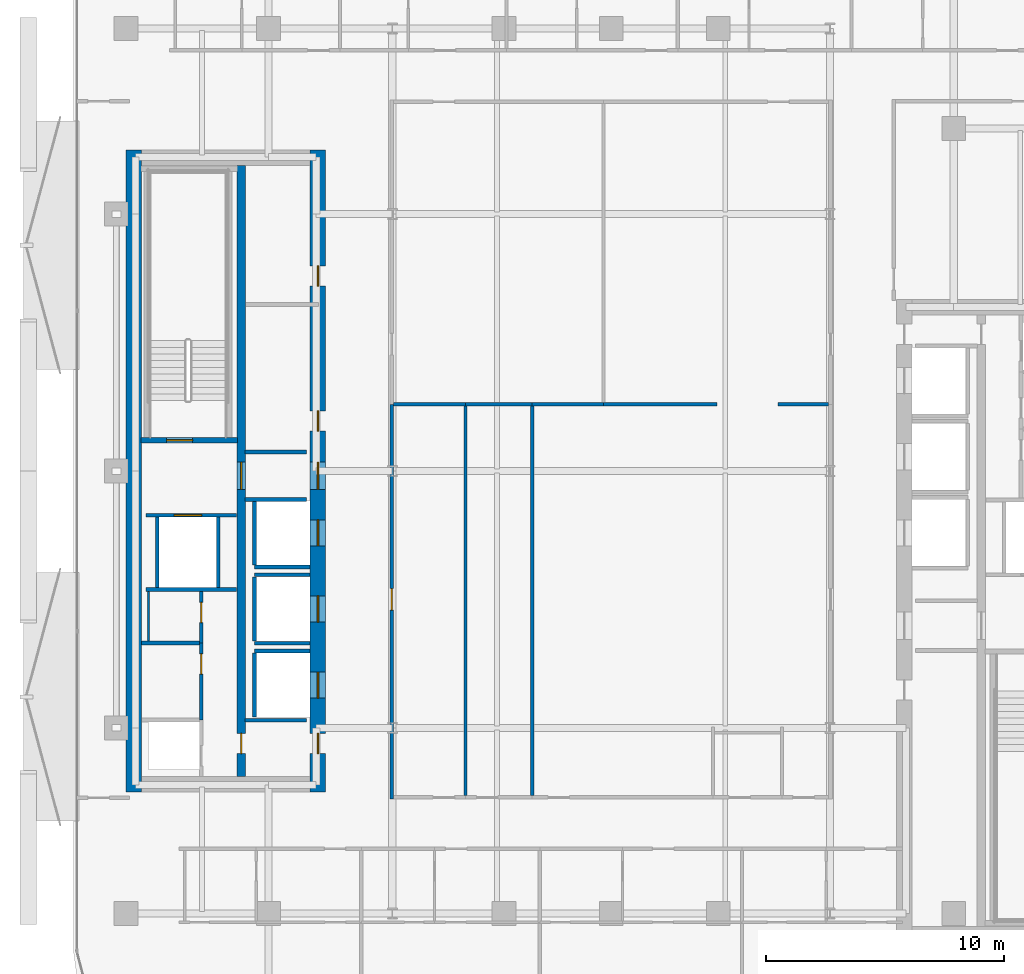
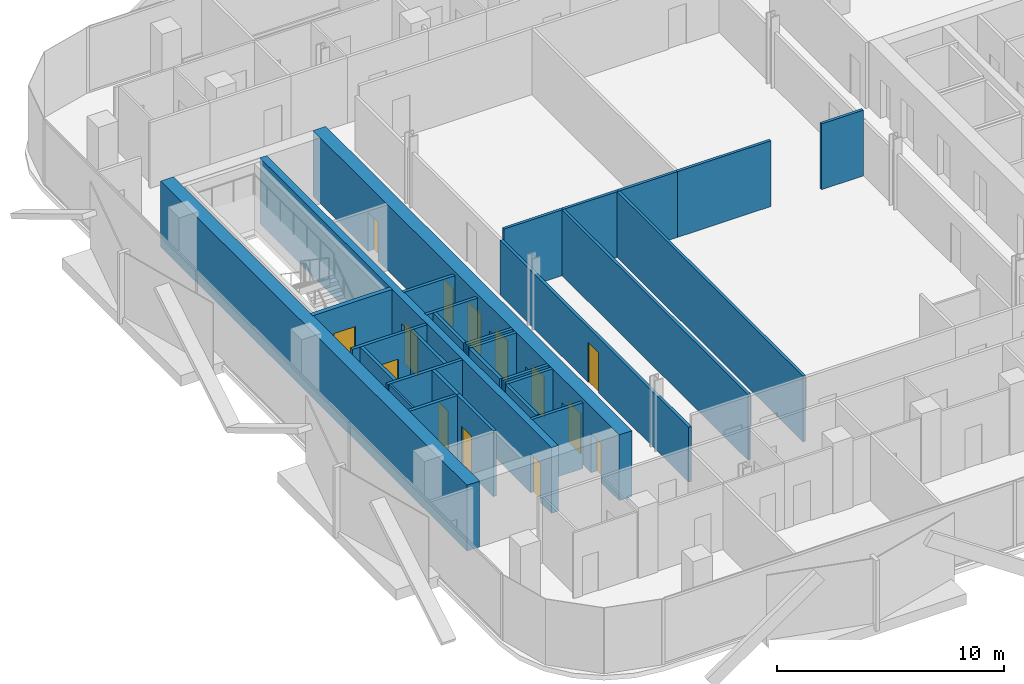
# One storey, part 4 of 17: 30 walls, 14 doors, 14 openings.
"""IFC4 building model written with IfcOpenShell, lengths in metres."""

from ifc_helpers import new_model, si_unit, direction, frame, frame_2d, origin, place, context, subcontext, project, spatial, rectangle, extrude, material, layer, layer_set, type_object, element, fill, save


model = new_model("IFC4")

# Units and contexts
model_context = context("Model", 3, precision=1e-05, world=origin(), true_north=direction((0.0, 1.0)))
body_context = subcontext(model_context, "Body", "Model", "MODEL_VIEW")
ifc_project = project(units=[si_unit("LENGTHUNIT", "METRE"), si_unit("AREAUNIT", "SQUARE_METRE"), si_unit("VOLUMEUNIT", "CUBIC_METRE"), si_unit("PLANEANGLEUNIT", "RADIAN"), si_unit("MASSUNIT", "GRAM", prefix="KILO")], contexts=[model_context])

# Site, building, storey
site_placement = place(None, origin())
site = spatial("IfcSite", under=ifc_project, at=site_placement, CompositionType="ELEMENT")
building_placement = place(site_placement, origin())
building = spatial("IfcBuilding", under=site, at=building_placement, Name="Khairoan Windgate Tower", CompositionType="ELEMENT")
storey_placement = place(building_placement, frame((0.0, 0.0, 195.39990234375)))
storey = spatial("IfcBuildingStorey", under=building, at=storey_placement, Name="L45", CompositionType="ELEMENT", Elevation=195.39990234375)

# Walls
ifc_material_1 = material(Name="Moisture-Resistant Gypsum Partition", Category="gypsum")
ifc_layer_1 = layer(ifc_material_1, 0.10009765625, Name="Moisture-Resistant Gypsum Partition")
ifc_layer_set_1 = layer_set([ifc_layer_1], Name="Moisture-Resistant Gypsum Partition")
wall_type_1 = type_object("IfcWallType", Name="Bathroom Wet-Area Partition Wall", PredefinedType="PARTITIONING", material=ifc_layer_set_1)
wall_1_placement = place(storey_placement, frame((-19.449951171875, -7.14990234375, 0.0), z_axis=(0.0, 0.0, 1.0), x_axis=(0.0, 1.0, 0.0)))
element("IfcWall", 1, at=wall_1_placement, inside=storey, type_object=wall_type_1, Name="L45 Wet Room Side Wall 097", PredefinedType="PARTITIONING", context=body_context, shape_type="SweptSolid", body=[
    extrude(rectangle(XDim=2.08984375, YDim=0.10009765625, at=frame_2d((1.044921875, 0.0))), origin(), (0.0, 0.0, 1.0), 3.5400390625),
])
ifc_material_2 = material(Name="Concrete C40/50", Category="concrete")
ifc_layer_2 = layer(ifc_material_2, 0.159912109375, Name="Concrete C40/50")
ifc_layer_set_2 = layer_set([ifc_layer_2], Name="Concrete C40/50")
wall_type_2 = type_object("IfcWallType", Name="Core and Hoistway Enclosure Wall", PredefinedType="STANDARD", material=ifc_layer_set_2)
wall_2_placement = place(storey_placement, frame((-14.989990234375, -4.0400390625, 0.0), z_axis=(0.0, 0.0, 1.0), x_axis=(1.0, 0.0, 0.0)))
element("IfcWall", 2, at=wall_2_placement, inside=storey, type_object=wall_type_2, Name="L45 Lift PL4 Hoistway Divider S", PredefinedType="STANDARD", context=body_context, shape_type="SweptSolid", body=[
    extrude(rectangle(XDim=2.340087890625, YDim=0.159912109375, at=frame_2d((1.169921875, 0.0))), origin(), (0.0, 0.0, 1.0), 3.5400390625),
])
wall_3_placement = place(storey_placement, frame((-14.989990234375, -3.949951171875, 0.0), z_axis=(0.0, 0.0, 1.0), x_axis=(0.0, 1.0, 0.0)))
element("IfcWall", 3, at=wall_3_placement, inside=storey, type_object=wall_type_2, Name="L45 Lift PL4 Hoistway Back Wall", PredefinedType="STANDARD", context=body_context, shape_type="SweptSolid", body=[
    extrude(rectangle(XDim=2.699951171875, YDim=0.159912109375, at=frame_2d((1.35009765625, 0.0))), origin(), (0.0, 0.0, 1.0), 3.5400390625),
])
for number, where, z_axis, x_axis, name in (
    (4, (-14.989990234375, -7.239990234375, 0.0), (0.0, 0.0, 1.0), (1.0, 0.0, 0.0), "L45 Lift PL5 Hoistway Divider S"),
    (5, (-14.989990234375, -4.360107421875, 0.0), (0.0, 0.0, 1.0), (1.0, 0.0, 0.0), "L45 Lift PL5 Hoistway Divider N"),
):
    element("IfcWall", number, at=place(storey_placement, frame(where, z_axis=z_axis, x_axis=x_axis)), inside=storey, type_object=wall_type_2, Name=name, PredefinedType="STANDARD", context=body_context, shape_type="SweptSolid", body=[
        extrude(rectangle(XDim=2.340087890625, YDim=0.159912109375, at=frame_2d((1.169921875, 0.0))), origin(), (0.0, 0.0, 1.0), 3.5400390625),
    ])
wall_4_placement = place(storey_placement, frame((-14.989990234375, -7.14990234375, 0.0), z_axis=(0.0, 0.0, 1.0), x_axis=(0.0, 1.0, 0.0)))
element("IfcWall", 6, at=wall_4_placement, inside=storey, type_object=wall_type_2, Name="L45 Lift PL5 Hoistway Back Wall", PredefinedType="STANDARD", context=body_context, shape_type="SweptSolid", body=[
    extrude(rectangle(XDim=2.699951171875, YDim=0.159912109375, at=frame_2d((1.35009765625, 0.0))), origin(), (0.0, 0.0, 1.0), 3.5400390625),
])
wall_5_placement = place(storey_placement, frame((-14.989990234375, -7.56005859375, 0.0), z_axis=(0.0, 0.0, 1.0), x_axis=(1.0, 0.0, 0.0)))
element("IfcWall", 7, at=wall_5_placement, inside=storey, type_object=wall_type_2, Name="L45 Lift PL6 Hoistway Divider N", PredefinedType="STANDARD", context=body_context, shape_type="SweptSolid", body=[
    extrude(rectangle(XDim=2.340087890625, YDim=0.159912109375, at=frame_2d((1.169921875, 0.0))), origin(), (0.0, 0.0, 1.0), 3.5400390625),
])
wall_6_placement = place(storey_placement, frame((-14.989990234375, -10.35009765625, 0.0), z_axis=(0.0, 0.0, 1.0), x_axis=(0.0, 1.0, 0.0)))
element("IfcWall", 8, at=wall_6_placement, inside=storey, type_object=wall_type_2, Name="L45 Lift PL6 Hoistway Back Wall", PredefinedType="STANDARD", context=body_context, shape_type="SweptSolid", body=[
    extrude(rectangle(XDim=2.7001953125, YDim=0.159912109375, at=frame_2d((1.35009765625, 0.0))), origin(), (0.0, 0.0, 1.0), 3.5400390625),
])

# Wall, opening, door
wall_7_placement = place(storey_placement, frame((-19.550048828125, -1.860107421875, 0.0), z_axis=(0.0, 0.0, 1.0), x_axis=(1.0, 0.0, 0.0)))
wall_7 = element("IfcWall", 9, at=wall_7_placement, inside=storey, type_object=wall_type_2, Name="L45 Core Shaft Wall SW-FL2-L45", PredefinedType="STANDARD", context=body_context, shape_type="SweptSolid", body=[
    extrude(rectangle(XDim=3.800048828125, YDim=0.159912109375, at=frame_2d((1.89990234375, 0.0))), origin(), (0.0, 0.0, 1.0), 3.5400390625),
])
opening_1_placement = place(wall_7_placement, frame((1.179931640625, 0.0, 0.0)))
opening_1 = element("IfcOpeningElement", 10, at=opening_1_placement, cuts=wall_7, Name="Opening LD-FL", PredefinedType="OPENING", context=body_context, shape_type="SweptSolid", body=[
    extrude(rectangle(XDim=1.14990234375, YDim=2.199951171875, at=frame_2d((0.574951171875, 1.10009765625))), frame((0.0, 0.08984375, 0.0), z_axis=(0.0, -1.0, 0.0), x_axis=(1.0, 0.0, 0.0)), (0.0, 0.0, 1.0), 0.179931640625),
])
ifc_material_3 = material(Name="Steel S355", Category="steel")
door_type_1 = type_object("IfcDoorType", Name="Firefighting Lift Sliding Landing Door LD-FL 1150x2200", OperationType="DOUBLE_DOOR_SLIDING", PredefinedType="DOOR", material=ifc_material_3)
door_1_placement = place(opening_1_placement, origin())
door_1 = element("IfcDoor", 11, at=door_1_placement, inside=storey, type_object=door_type_1, Name="L45 Firefighting Lift FL2 Landing Door", OperationType="DOUBLE_DOOR_SLIDING", OverallHeight=2.199951171875, OverallWidth=1.14990234375, PredefinedType="DOOR", context=body_context, shape_type="SweptSolid", body=[
    extrude(rectangle(XDim=1.14990234375, YDim=2.199951171875, at=frame_2d((0.574951171875, 1.10009765625))), frame((0.0, 0.02490234375, 0.0), z_axis=(0.0, -1.0, 0.0), x_axis=(1.0, 0.0, 0.0)), (0.0, 0.0, 1.0), 0.050048828125),
])
fill(opening_1, door_1)

# Walls
wall_8_placement = place(storey_placement, frame((-19.550048828125, -4.97998046875, 0.0), z_axis=(0.0, 0.0, 1.0), x_axis=(1.0, 0.0, 0.0)))
element("IfcWall", 12, at=wall_8_placement, inside=storey, type_object=wall_type_2, Name="L45 Core Shaft Wall SW-FL2B-L45", PredefinedType="STANDARD", context=body_context, shape_type="SweptSolid", body=[
    extrude(rectangle(XDim=3.800048828125, YDim=0.159912109375, at=frame_2d((1.89990234375, 0.0))), origin(), (0.0, 0.0, 1.0), 3.5400390625),
])
for number, where, z_axis, x_axis, name in (
    (13, (-19.080078125, -4.89990234375, 0.0), (0.0, 0.0, 1.0), (0.0, 1.0, 0.0), "L45 Core Shaft Wall SW-FL2W-L45"),
    (14, (-16.52001953125, -4.89990234375, 0.0), (0.0, 0.0, 1.0), (0.0, 1.0, 0.0), "L45 Core Shaft Wall SW-FL2E-L45"),
):
    element("IfcWall", number, at=place(storey_placement, frame(where, z_axis=z_axis, x_axis=x_axis)), inside=storey, type_object=wall_type_2, Name=name, PredefinedType="STANDARD", context=body_context, shape_type="SweptSolid", body=[
        extrude(rectangle(XDim=2.9599609375, YDim=0.159912109375, at=frame_2d((1.47998046875, 0.0))), origin(), (0.0, 0.0, 1.0), 3.5400390625),
    ])
for number, where, z_axis, x_axis, name in (
    (15, (-15.39990234375, 0.800048828125, 0.0), (0.0, 0.0, 1.0), (1.0, 0.0, 0.0), "L45 Core Shaft Wall SW-WV1-L45"),
    (16, (-15.39990234375, -1.199951171875, 0.0), (0.0, 0.0, 1.0), (1.0, 0.0, 0.0), "L45 Core Shaft Wall SW-WV2-L45"),
    (17, (-15.39990234375, -10.47998046875, 0.0), (0.0, 0.0, 1.0), (1.0, 0.0, 0.0), "L45 Core Shaft Wall SW-WSV-L45"),
):
    element("IfcWall", number, at=place(storey_placement, frame(where, z_axis=z_axis, x_axis=x_axis)), inside=storey, type_object=wall_type_2, Name=name, PredefinedType="STANDARD", context=body_context, shape_type="SweptSolid", body=[
        extrude(rectangle(XDim=2.599853515625, YDim=0.159912109375, at=frame_2d((1.2998046875, 0.0))), origin(), (0.0, 0.0, 1.0), 3.5400390625),
    ])
ifc_material_4 = material(Name="Acoustic Fire-Rated Gypsum Partition", Category="gypsum")
ifc_layer_3 = layer(ifc_material_4, 0.139892578125, Name="Acoustic Fire-Rated Gypsum Partition")
ifc_layer_set_3 = layer_set([ifc_layer_3], Name="Acoustic Fire-Rated Gypsum Partition")
wall_type_3 = type_object("IfcWallType", Name="Inter-Tenancy Compartment Wall", PredefinedType="PARTITIONING", material=ifc_layer_set_3)
wall_9_placement = place(storey_placement, frame((-6.1201171875, -13.64501953125, 0.0), z_axis=(0.0, 0.0, 1.0), x_axis=(0.0, 1.0, 0.0)))
element("IfcWall", 18, at=wall_9_placement, inside=storey, type_object=wall_type_3, Name="L45 Interior Partition 045", PredefinedType="PARTITIONING", context=body_context, shape_type="SweptSolid", body=[
    extrude(rectangle(XDim=16.375, YDim=0.139892578125, at=frame_2d((8.1875, 0.0))), origin(), (0.0, 0.0, 1.0), 3.5400390625),
])
wall_10_placement = place(storey_placement, frame((-9.14501953125, 2.800048828125, 0.0), z_axis=(0.0, 0.0, 1.0), x_axis=(1.0, 0.0, 0.0)))
element("IfcWall", 19, at=wall_10_placement, inside=storey, type_object=wall_type_3, Name="L45 Interior Partition 046", PredefinedType="PARTITIONING", context=body_context, shape_type="SweptSolid", body=[
    extrude(rectangle(XDim=3.02490234375, YDim=0.139892578125, at=frame_2d((1.512451171875, 0.0))), origin(), (0.0, 0.0, 1.0), 3.5400390625),
])
wall_11_placement = place(storey_placement, frame((-3.320068359375, -13.64501953125, 0.0), z_axis=(0.0, 0.0, 1.0), x_axis=(0.0, 1.0, 0.0)))
element("IfcWall", 20, at=wall_11_placement, inside=storey, type_object=wall_type_3, Name="L45 Interior Partition 047", PredefinedType="PARTITIONING", context=body_context, shape_type="SweptSolid", body=[
    extrude(rectangle(XDim=16.375, YDim=0.139892578125, at=frame_2d((8.1875, 0.0))), origin(), (0.0, 0.0, 1.0), 3.5400390625),
])
wall_12_placement = place(storey_placement, frame((-6.1201171875, 2.800048828125, 0.0), z_axis=(0.0, 0.0, 1.0), x_axis=(1.0, 0.0, 0.0)))
element("IfcWall", 21, at=wall_12_placement, inside=storey, type_object=wall_type_3, Name="L45 Interior Partition 048", PredefinedType="PARTITIONING", context=body_context, shape_type="SweptSolid", body=[
    extrude(rectangle(XDim=2.800048828125, YDim=0.139892578125, at=frame_2d((1.39990234375, 0.0))), origin(), (0.0, 0.0, 1.0), 3.5400390625),
])
wall_13_placement = place(storey_placement, frame((-3.320068359375, 2.800048828125, 0.0), z_axis=(0.0, 0.0, 1.0), x_axis=(1.0, 0.0, 0.0)))
element("IfcWall", 22, at=wall_13_placement, inside=storey, type_object=wall_type_3, Name="L45 Interior Partition 050", PredefinedType="PARTITIONING", context=body_context, shape_type="SweptSolid", body=[
    extrude(rectangle(XDim=3.0, YDim=0.139892578125, at=frame_2d((1.5, 0.0))), origin(), (0.0, 0.0, 1.0), 3.5400390625),
])
wall_14_placement = place(storey_placement, frame((-0.320068359375, 2.800048828125, 0.0), z_axis=(0.0, 0.0, 1.0), x_axis=(1.0, 0.0, 0.0)))
element("IfcWall", 23, at=wall_14_placement, inside=storey, type_object=wall_type_3, Name="L45 Interior Partition 051", PredefinedType="PARTITIONING", context=body_context, shape_type="SweptSolid", body=[
    extrude(rectangle(XDim=4.760009765625, YDim=0.139892578125, at=frame_2d((2.3798828125, 0.0))), origin(), (0.0, 0.0, 1.0), 3.5400390625),
])
wall_15_placement = place(storey_placement, frame((7.02001953125, 2.800048828125, 0.0), z_axis=(0.0, 0.0, 1.0), x_axis=(1.0, 0.0, 0.0)))
element("IfcWall", 24, at=wall_15_placement, inside=storey, type_object=wall_type_3, Name="L45 Interior Partition 053", PredefinedType="PARTITIONING", context=body_context, shape_type="SweptSolid", body=[
    extrude(rectangle(XDim=2.125, YDim=0.139892578125, at=frame_2d((1.0625, 0.0))), origin(), (0.0, 0.0, 1.0), 3.5400390625),
])

# Wall, opening, door
ifc_material_5 = material(Name="Concrete C40/50", Category="concrete")
ifc_layer_4 = layer(ifc_material_5, 0.159912109375, Name="Concrete C40/50")
ifc_layer_set_4 = layer_set([ifc_layer_4], Name="Concrete C40/50")
wall_type_4 = type_object("IfcWallType", Name="Plant and Refuge Compartment Wall", PredefinedType="PARTITIONING", material=ifc_layer_set_4)
wall_16_placement = place(storey_placement, frame((-17.22998046875, -7.22998046875, 0.0), z_axis=(0.0, 0.0, 1.0), x_axis=(0.0, 1.0, 0.0)))
wall_16 = element("IfcWall", 25, at=wall_16_placement, inside=storey, type_object=wall_type_4, Name="L45 Interior Partition 002", PredefinedType="PARTITIONING", context=body_context, shape_type="SweptSolid", body=[
    extrude(rectangle(XDim=2.169921875, YDim=0.159912109375, at=frame_2d((1.0849609375, 0.0))), origin(), (0.0, 0.0, 1.0), 3.5400390625),
])
opening_2_placement = place(wall_16_placement, frame((0.860107421875, 0.0, 0.0)))
opening_2 = element("IfcOpeningElement", 26, at=opening_2_placement, cuts=wall_16, Name="Opening FD-SRV", PredefinedType="OPENING", context=body_context, shape_type="SweptSolid", body=[
    extrude(rectangle(XDim=0.85009765625, YDim=2.10009765625, at=frame_2d((0.425048828125, 1.050048828125))), frame((0.0, 0.08984375, 0.0), z_axis=(0.0, -1.0, 0.0), x_axis=(1.0, 0.0, 0.0)), (0.0, 0.0, 1.0), 0.179931640625),
])
ifc_material_6 = material(Name="Steel S355", Category="steel")
door_type_2 = type_object("IfcDoorType", Name="Core Service and Riser Fire Door FD-SRV 850x2100", OperationType="NOTDEFINED", PredefinedType="DOOR", material=ifc_material_6)
door_2_placement = place(opening_2_placement, origin())
door_2 = element("IfcDoor", 27, at=door_2_placement, inside=storey, type_object=door_type_2, Name="L45 L45-04-L45-06 Door", OperationType="SINGLE_SWING_RIGHT", OverallHeight=2.10009765625, OverallWidth=0.85009765625, PredefinedType="DOOR", context=body_context, shape_type="SweptSolid", body=[
    extrude(rectangle(XDim=0.85009765625, YDim=2.10009765625, at=frame_2d((0.425048828125, 1.050048828125))), frame((0.0, 0.02490234375, 0.0), z_axis=(0.0, -1.0, 0.0), x_axis=(1.0, 0.0, 0.0)), (0.0, 0.0, 1.0), 0.050048828125),
])
fill(opening_2, door_2)

wall_17_placement = place(storey_placement, frame((-17.22998046875, -10.469970703125, 0.0), z_axis=(0.0, 0.0, 1.0), x_axis=(0.0, 1.0, 0.0)))
wall_17 = element("IfcWall", 28, at=wall_17_placement, inside=storey, type_object=wall_type_4, Name="L45 Interior Partition 003", PredefinedType="PARTITIONING", context=body_context, shape_type="SweptSolid", body=[
    extrude(rectangle(XDim=3.239990234375, YDim=0.159912109375, at=frame_2d((1.6201171875, 0.0))), origin(), (0.0, 0.0, 1.0), 3.5400390625),
])
opening_3_placement = place(wall_17_placement, frame((1.929931640625, 0.0, 0.0)))
opening_3 = element("IfcOpeningElement", 29, at=opening_3_placement, cuts=wall_17, Name="Opening FD-SRV", PredefinedType="OPENING", context=body_context, shape_type="SweptSolid", body=[
    extrude(rectangle(XDim=0.85009765625, YDim=2.10009765625, at=frame_2d((0.425048828125, 1.050048828125))), frame((0.0, 0.08984375, 0.0), z_axis=(0.0, -1.0, 0.0), x_axis=(1.0, 0.0, 0.0)), (0.0, 0.0, 1.0), 0.179931640625),
])
door_3_placement = place(opening_3_placement, origin())
door_3 = element("IfcDoor", 30, at=door_3_placement, inside=storey, type_object=door_type_2, Name="L45 L45-04-L45-07 Door", OperationType="SINGLE_SWING_LEFT", OverallHeight=2.10009765625, OverallWidth=0.85009765625, PredefinedType="DOOR", context=body_context, shape_type="SweptSolid", body=[
    extrude(rectangle(XDim=0.85009765625, YDim=2.10009765625, at=frame_2d((0.425048828125, 1.050048828125))), frame((0.0, 0.02490234375, 0.0), z_axis=(0.0, -1.0, 0.0), x_axis=(1.0, 0.0, 0.0)), (0.0, 0.0, 1.0), 0.050048828125),
])
fill(opening_3, door_3)

# Wall
wall_18_placement = place(storey_placement, frame((-19.75, -7.22998046875, 0.0), z_axis=(0.0, 0.0, 1.0), x_axis=(1.0, 0.0, 0.0)))
element("IfcWall", 31, at=wall_18_placement, inside=storey, type_object=wall_type_4, Name="L45 Interior Partition 005", PredefinedType="PARTITIONING", context=body_context, shape_type="SweptSolid", body=[
    extrude(rectangle(XDim=2.43994140625, YDim=0.159912109375, at=frame_2d((1.219970703125, 0.0))), origin(), (0.0, 0.0, 1.0), 3.5400390625),
])

# Wall, opening, door
ifc_material_7 = material(Name="Acoustic Fire-Rated Gypsum Partition", Category="gypsum")
ifc_layer_5 = layer(ifc_material_7, 0.14990234375, Name="Acoustic Fire-Rated Gypsum Partition")
ifc_layer_set_5 = layer_set([ifc_layer_5], Name="Acoustic Fire-Rated Gypsum Partition")
wall_type_5 = type_object("IfcWallType", Name="Rated Corridor Partition Wall", PredefinedType="PARTITIONING", material=ifc_layer_set_5)
wall_19_placement = place(storey_placement, frame((-9.219970703125, -13.794921875, 0.0), z_axis=(0.0, 0.0, 1.0), x_axis=(0.0, 1.0, 0.0)))
wall_19 = element("IfcWall", 32, at=wall_19_placement, inside=storey, type_object=wall_type_5, Name="L45 Interior Partition 012", PredefinedType="PARTITIONING", context=body_context, shape_type="SweptSolid", body=[
    extrude(rectangle(XDim=16.594970703125, YDim=0.14990234375, at=frame_2d((8.29736328125, 0.0))), origin(), (0.0, 0.0, 1.0), 2.9521484375),
])
opening_4_placement = place(wall_19_placement, frame((7.94873046875, 0.0, 0.0)))
opening_4 = element("IfcOpeningElement", 33, at=opening_4_placement, cuts=wall_19, Name="Opening FD-ENT", PredefinedType="OPENING", context=body_context, shape_type="SweptSolid", body=[
    extrude(rectangle(XDim=0.89990234375, YDim=2.14990234375, at=frame_2d((0.449951171875, 1.074951171875))), frame((0.0, 0.0849609375, 0.0), z_axis=(0.0, -1.0, 0.0), x_axis=(1.0, 0.0, 0.0)), (0.0, 0.0, 1.0), 0.169921875),
])
ifc_material_8 = material(Name="Timber Fire-Rated Core", Category="wood")
door_type_3 = type_object("IfcDoorType", Name="Unit and Office Fire Entrance Door FD-ENT 900x2150", OperationType="NOTDEFINED", PredefinedType="DOOR", material=ifc_material_8)
door_4_placement = place(opening_4_placement, origin())
door_4 = element("IfcDoor", 34, at=door_4_placement, inside=storey, type_object=door_type_3, Name="L45 L45-28-L45-32 Door", OperationType="SINGLE_SWING_LEFT", OverallHeight=2.14990234375, OverallWidth=0.89990234375, PredefinedType="DOOR", context=body_context, shape_type="SweptSolid", body=[
    extrude(rectangle(XDim=0.89990234375, YDim=2.14990234375, at=frame_2d((0.449951171875, 1.074951171875))), frame((0.0, 0.02490234375, 0.0), z_axis=(0.0, -1.0, 0.0), x_axis=(1.0, 0.0, 0.0)), (0.0, 0.0, 1.0), 0.050048828125),
])
fill(opening_4, door_4)

# Wall
ifc_material_9 = material(Name="Concrete C60/75", Category="concrete")
ifc_layer_6 = layer(ifc_material_9, 0.64990234375, Name="Concrete C60/75")
ifc_layer_set_6 = layer_set([ifc_layer_6], Name="Concrete C60/75")
wall_type_6 = type_object("IfcWallType", Name="Shear Wall CW-W2 650mm", PredefinedType="SHEAR", material=ifc_layer_set_6)
wall_20_placement = place(storey_placement, frame((-20.074951171875, -13.5, 0.0), z_axis=(0.0, 0.0, 1.0), x_axis=(0.0, 1.0, 0.0)))
element("IfcWall", 35, at=wall_20_placement, inside=storey, type_object=wall_type_6, Name="W Core West Shear Wall L45", PredefinedType="SHEAR", context=body_context, shape_type="SweptSolid", body=[
    extrude(rectangle(XDim=27.0, YDim=0.64990234375, at=frame_2d((13.5, 0.0))), origin(), (0.0, 0.0, 1.0), 3.5400390625),
])

# Wall, openings, doors
wall_21_placement = place(storey_placement, frame((-12.324951171875, -13.5, 0.0), z_axis=(0.0, 0.0, 1.0), x_axis=(0.0, 1.0, 0.0)))
wall_21 = element("IfcWall", 36, at=wall_21_placement, inside=storey, type_object=wall_type_6, Name="W Core East Shear Wall L45", PredefinedType="SHEAR", context=body_context, shape_type="SweptSolid", body=[
    extrude(rectangle(XDim=27.0, YDim=0.64990234375, at=frame_2d((13.5, 0.0))), origin(), (0.0, 0.0, 1.0), 3.5400390625),
])
opening_5_placement = place(wall_21_placement, frame((10.35009765625, 0.0, 0.0)))
opening_5 = element("IfcOpeningElement", 37, at=opening_5_placement, cuts=wall_21, Name="Opening LD-PL", PredefinedType="OPENING", context=body_context, shape_type="SweptSolid", body=[
    extrude(rectangle(XDim=1.10009765625, YDim=2.199951171875, at=frame_2d((0.550048828125, 1.10009765625))), frame((0.0, 0.3349609375, 0.0), z_axis=(0.0, -1.0, 0.0), x_axis=(1.0, 0.0, 0.0)), (0.0, 0.0, 1.0), 0.669921875),
])
opening_6_placement = place(wall_21_placement, frame((7.14990234375, 0.0, 0.0)))
opening_6 = element("IfcOpeningElement", 38, at=opening_6_placement, cuts=wall_21, Name="Opening LD-PL", PredefinedType="OPENING", context=body_context, shape_type="SweptSolid", body=[
    extrude(rectangle(XDim=1.10009765625, YDim=2.199951171875, at=frame_2d((0.550048828125, 1.10009765625))), frame((0.0, 0.3349609375, 0.0), z_axis=(0.0, -1.0, 0.0), x_axis=(1.0, 0.0, 0.0)), (0.0, 0.0, 1.0), 0.669921875),
])
opening_7_placement = place(wall_21_placement, frame((3.949951171875, 0.0, 0.0)))
opening_7 = element("IfcOpeningElement", 39, at=opening_7_placement, cuts=wall_21, Name="Opening LD-PL", PredefinedType="OPENING", context=body_context, shape_type="SweptSolid", body=[
    extrude(rectangle(XDim=1.10009765625, YDim=2.199951171875, at=frame_2d((0.550048828125, 1.10009765625))), frame((0.0, 0.3349609375, 0.0), z_axis=(0.0, -1.0, 0.0), x_axis=(1.0, 0.0, 0.0)), (0.0, 0.0, 1.0), 0.669921875),
])
opening_8_placement = place(wall_21_placement, frame((15.175048828125, 0.0, 0.0)))
opening_8 = element("IfcOpeningElement", 40, at=opening_8_placement, cuts=wall_21, Name="Opening FD-SRV", PredefinedType="OPENING", context=body_context, shape_type="SweptSolid", body=[
    extrude(rectangle(XDim=0.85009765625, YDim=2.10009765625, at=frame_2d((0.425048828125, 1.050048828125))), frame((0.0, 0.3349609375, 0.0), z_axis=(0.0, -1.0, 0.0), x_axis=(1.0, 0.0, 0.0)), (0.0, 0.0, 1.0), 0.669921875),
])
opening_9_placement = place(wall_21_placement, frame((21.27490234375, 0.0, 0.0)))
opening_9 = element("IfcOpeningElement", 41, at=opening_9_placement, cuts=wall_21, Name="Opening FD-SRV", PredefinedType="OPENING", context=body_context, shape_type="SweptSolid", body=[
    extrude(rectangle(XDim=0.85009765625, YDim=2.10009765625, at=frame_2d((0.425048828125, 1.050048828125))), frame((0.0, 0.3349609375, 0.0), z_axis=(0.0, -1.0, 0.0), x_axis=(1.0, 0.0, 0.0)), (0.0, 0.0, 1.0), 0.669921875),
])
opening_10_placement = place(wall_21_placement, frame((12.72509765625, 0.0, 0.0)))
opening_10 = element("IfcOpeningElement", 42, at=opening_10_placement, cuts=wall_21, Name="Opening FD-FFL", PredefinedType="OPENING", context=body_context, shape_type="SweptSolid", body=[
    extrude(rectangle(XDim=1.14990234375, YDim=2.199951171875, at=frame_2d((0.574951171875, 1.10009765625))), frame((0.0, 0.3349609375, 0.0), z_axis=(0.0, -1.0, 0.0), x_axis=(1.0, 0.0, 0.0)), (0.0, 0.0, 1.0), 0.669921875),
])
opening_11_placement = place(wall_21_placement, frame((1.625, 0.0, 0.0)))
opening_11 = element("IfcOpeningElement", 43, at=opening_11_placement, cuts=wall_21, Name="Opening FD-SRV", PredefinedType="OPENING", context=body_context, shape_type="SweptSolid", body=[
    extrude(rectangle(XDim=0.85009765625, YDim=2.10009765625, at=frame_2d((0.425048828125, 1.050048828125))), frame((0.0, 0.3349609375, 0.0), z_axis=(0.0, -1.0, 0.0), x_axis=(1.0, 0.0, 0.0)), (0.0, 0.0, 1.0), 0.669921875),
])
door_5_placement = place(opening_8_placement, origin())
door_5 = element("IfcDoor", 44, at=door_5_placement, inside=storey, type_object=door_type_2, Name="L45 Upper Core Room Door B1-1", OperationType="SINGLE_SWING_RIGHT", OverallHeight=2.10009765625, OverallWidth=0.85009765625, PredefinedType="DOOR", context=body_context, shape_type="SweptSolid", body=[
    extrude(rectangle(XDim=0.85009765625, YDim=2.10009765625, at=frame_2d((0.425048828125, 1.050048828125))), frame((0.0, 0.02490234375, 0.0), z_axis=(0.0, -1.0, 0.0), x_axis=(1.0, 0.0, 0.0)), (0.0, 0.0, 1.0), 0.050048828125),
])
fill(opening_8, door_5)
door_6_placement = place(opening_9_placement, origin())
door_6 = element("IfcDoor", 45, at=door_6_placement, inside=storey, type_object=door_type_2, Name="L45 Upper Core Room Door B1-2", OperationType="SINGLE_SWING_LEFT", OverallHeight=2.10009765625, OverallWidth=0.85009765625, PredefinedType="DOOR", context=body_context, shape_type="SweptSolid", body=[
    extrude(rectangle(XDim=0.85009765625, YDim=2.10009765625, at=frame_2d((0.425048828125, 1.050048828125))), frame((0.0, 0.02490234375, 0.0), z_axis=(0.0, -1.0, 0.0), x_axis=(1.0, 0.0, 0.0)), (0.0, 0.0, 1.0), 0.050048828125),
])
fill(opening_9, door_6)
door_7_placement = place(opening_11_placement, origin())
door_7 = element("IfcDoor", 46, at=door_7_placement, inside=storey, type_object=door_type_2, Name="L45 West Core Service Vestibule Outer Door", OperationType="SINGLE_SWING_LEFT", OverallHeight=2.10009765625, OverallWidth=0.85009765625, PredefinedType="DOOR", context=body_context, shape_type="SweptSolid", body=[
    extrude(rectangle(XDim=0.85009765625, YDim=2.10009765625, at=frame_2d((0.425048828125, 1.050048828125))), frame((0.0, 0.02490234375, 0.0), z_axis=(0.0, -1.0, 0.0), x_axis=(1.0, 0.0, 0.0)), (0.0, 0.0, 1.0), 0.050048828125),
])
fill(opening_11, door_7)
ifc_material_10 = material(Name="Steel S355", Category="steel")
door_type_4 = type_object("IfcDoorType", Name="Firefighting Lobby Fire Door FD-FFL 1150x2200", OperationType="NOTDEFINED", PredefinedType="DOOR", material=ifc_material_10)
door_8_placement = place(opening_10_placement, origin())
door_8 = element("IfcDoor", 47, at=door_8_placement, inside=storey, type_object=door_type_4, Name="L45 West Core Vestibule Entry Door", OperationType="SINGLE_SWING_LEFT", OverallHeight=2.199951171875, OverallWidth=1.14990234375, PredefinedType="DOOR", context=body_context, shape_type="SweptSolid", body=[
    extrude(rectangle(XDim=1.14990234375, YDim=2.199951171875, at=frame_2d((0.574951171875, 1.10009765625))), frame((0.0, 0.02490234375, 0.0), z_axis=(0.0, -1.0, 0.0), x_axis=(1.0, 0.0, 0.0)), (0.0, 0.0, 1.0), 0.050048828125),
])
fill(opening_10, door_8)
ifc_material_11 = material(Name="Anodised Bronze Aluminium 6063-T6", Category="aluminium")
door_type_5 = type_object("IfcDoorType", Name="Passenger Lift Sliding Landing Door LD-PL 1100x2200", OperationType="DOUBLE_DOOR_SLIDING", PredefinedType="DOOR", material=ifc_material_11)
door_9_placement = place(opening_5_placement, origin())
door_9 = element("IfcDoor", 48, at=door_9_placement, inside=storey, type_object=door_type_5, Name="L45 Lift PL4 Sliding Landing Door", OperationType="DOUBLE_DOOR_SLIDING", OverallHeight=2.199951171875, OverallWidth=1.10009765625, PredefinedType="DOOR", context=body_context, shape_type="SweptSolid", body=[
    extrude(rectangle(XDim=1.10009765625, YDim=2.199951171875, at=frame_2d((0.550048828125, 1.10009765625))), frame((0.0, 0.02490234375, 0.0), z_axis=(0.0, -1.0, 0.0), x_axis=(1.0, 0.0, 0.0)), (0.0, 0.0, 1.0), 0.050048828125),
])
fill(opening_5, door_9)
door_10_placement = place(opening_6_placement, origin())
door_10 = element("IfcDoor", 49, at=door_10_placement, inside=storey, type_object=door_type_5, Name="L45 Lift PL5 Sliding Landing Door", OperationType="DOUBLE_DOOR_SLIDING", OverallHeight=2.199951171875, OverallWidth=1.10009765625, PredefinedType="DOOR", context=body_context, shape_type="SweptSolid", body=[
    extrude(rectangle(XDim=1.10009765625, YDim=2.199951171875, at=frame_2d((0.550048828125, 1.10009765625))), frame((0.0, 0.02490234375, 0.0), z_axis=(0.0, -1.0, 0.0), x_axis=(1.0, 0.0, 0.0)), (0.0, 0.0, 1.0), 0.050048828125),
])
fill(opening_6, door_10)
door_11_placement = place(opening_7_placement, origin())
door_11 = element("IfcDoor", 50, at=door_11_placement, inside=storey, type_object=door_type_5, Name="L45 Lift PL6 Sliding Landing Door", OperationType="DOUBLE_DOOR_SLIDING", OverallHeight=2.199951171875, OverallWidth=1.10009765625, PredefinedType="DOOR", context=body_context, shape_type="SweptSolid", body=[
    extrude(rectangle(XDim=1.10009765625, YDim=2.199951171875, at=frame_2d((0.550048828125, 1.10009765625))), frame((0.0, 0.02490234375, 0.0), z_axis=(0.0, -1.0, 0.0), x_axis=(1.0, 0.0, 0.0)), (0.0, 0.0, 1.0), 0.050048828125),
])
fill(opening_7, door_11)

ifc_material_12 = material(Name="Concrete C60/75", Category="concrete")
ifc_layer_7 = layer(ifc_material_12, 0.35009765625, Name="Concrete C60/75")
ifc_layer_set_7 = layer_set([ifc_layer_7], Name="Concrete C60/75")
wall_type_7 = type_object("IfcWallType", Name="Shear Wall SW-1 350mm", PredefinedType="SHEAR", material=ifc_layer_set_7)
wall_22_placement = place(storey_placement, frame((-15.550048828125, -12.85009765625, 0.0), z_axis=(0.0, 0.0, 1.0), x_axis=(0.0, 1.0, 0.0)))
wall_22 = element("IfcWall", 51, at=wall_22_placement, inside=storey, type_object=wall_type_7, Name="W Core Spine Shear Wall L45", PredefinedType="SHEAR", context=body_context, shape_type="SweptSolid", body=[
    extrude(rectangle(XDim=25.7001953125, YDim=0.35009765625, at=frame_2d((12.85009765625, 0.0))), origin(), (0.0, 0.0, 1.0), 3.5400390625),
])
opening_12_placement = place(wall_22_placement, frame((12.074951171875, 0.0, 0.0)))
opening_12 = element("IfcOpeningElement", 52, at=opening_12_placement, cuts=wall_22, Name="Opening FD-FFL", PredefinedType="OPENING", context=body_context, shape_type="SweptSolid", body=[
    extrude(rectangle(XDim=1.14990234375, YDim=2.199951171875, at=frame_2d((0.574951171875, 1.10009765625))), frame((0.0, 0.18505859375, 0.0), z_axis=(0.0, -1.0, 0.0), x_axis=(1.0, 0.0, 0.0)), (0.0, 0.0, 1.0), 0.3701171875),
])
opening_13_placement = place(wall_22_placement, frame((0.97509765625, 0.0, 0.0)))
opening_13 = element("IfcOpeningElement", 53, at=opening_13_placement, cuts=wall_22, Name="Opening FD-SRV", PredefinedType="OPENING", context=body_context, shape_type="SweptSolid", body=[
    extrude(rectangle(XDim=0.85009765625, YDim=2.10009765625, at=frame_2d((0.425048828125, 1.050048828125))), frame((0.0, 0.18505859375, 0.0), z_axis=(0.0, -1.0, 0.0), x_axis=(1.0, 0.0, 0.0)), (0.0, 0.0, 1.0), 0.3701171875),
])
door_12_placement = place(opening_13_placement, origin())
door_12 = element("IfcDoor", 54, at=door_12_placement, inside=storey, type_object=door_type_2, Name="L45 West Core Service Passage Inner Door", OperationType="SINGLE_SWING_RIGHT", OverallHeight=2.10009765625, OverallWidth=0.85009765625, PredefinedType="DOOR", context=body_context, shape_type="SweptSolid", body=[
    extrude(rectangle(XDim=0.85009765625, YDim=2.10009765625, at=frame_2d((0.425048828125, 1.050048828125))), frame((0.0, 0.02490234375, 0.0), z_axis=(0.0, -1.0, 0.0), x_axis=(1.0, 0.0, 0.0)), (0.0, 0.0, 1.0), 0.050048828125),
])
fill(opening_13, door_12)
door_13_placement = place(opening_12_placement, origin())
door_13 = element("IfcDoor", 55, at=door_13_placement, inside=storey, type_object=door_type_4, Name="L45 West Firefighting Lobby Fire Door", OperationType="SINGLE_SWING_RIGHT", OverallHeight=2.199951171875, OverallWidth=1.14990234375, PredefinedType="DOOR", context=body_context, shape_type="SweptSolid", body=[
    extrude(rectangle(XDim=1.14990234375, YDim=2.199951171875, at=frame_2d((0.574951171875, 1.10009765625))), frame((0.0, 0.02490234375, 0.0), z_axis=(0.0, -1.0, 0.0), x_axis=(1.0, 0.0, 0.0)), (0.0, 0.0, 1.0), 0.050048828125),
])
fill(opening_12, door_13)

# Wall, opening, door
ifc_material_13 = material(Name="Concrete C50/60", Category="concrete")
ifc_layer_8 = layer(ifc_material_13, 0.219970703125, Name="Concrete C50/60")
ifc_layer_set_8 = layer_set([ifc_layer_8], Name="Concrete C50/60")
wall_type_8 = type_object("IfcWallType", Name="Shear Wall SW-ST 220mm", PredefinedType="SHEAR", material=ifc_layer_set_8)
wall_23_placement = place(storey_placement, frame((-19.77001953125, 1.2900390625, 0.0), z_axis=(0.0, 0.0, 1.0), x_axis=(1.0, 0.0, 0.0)))
wall_23 = element("IfcWall", 56, at=wall_23_placement, inside=storey, type_object=wall_type_8, Name="L45 Stair ST2 South Bearing Wall", PredefinedType="SHEAR", context=body_context, shape_type="SweptSolid", body=[
    extrude(rectangle(XDim=4.06494140625, YDim=0.219970703125, at=frame_2d((2.032470703125, 0.0))), origin(), (0.0, 0.0, 1.0), 3.5400390625),
])
opening_14_placement = place(wall_23_placement, frame((1.080078125, 0.0, 0.0)))
opening_14 = element("IfcOpeningElement", 57, at=opening_14_placement, cuts=wall_23, Name="Opening FD-ST", PredefinedType="OPENING", context=body_context, shape_type="SweptSolid", body=[
    extrude(rectangle(XDim=1.10009765625, YDim=2.199951171875, at=frame_2d((0.550048828125, 1.10009765625))), frame((0.0, 0.119873046875, 0.0), z_axis=(0.0, -1.0, 0.0), x_axis=(1.0, 0.0, 0.0)), (0.0, 0.0, 1.0), 0.239990234375),
])
ifc_material_14 = material(Name="Steel S355", Category="steel")
door_type_6 = type_object("IfcDoorType", Name="Smokeproof Stair Fire Door FD-ST 1100x2200", OperationType="NOTDEFINED", PredefinedType="DOOR", material=ifc_material_14)
door_14_placement = place(opening_14_placement, origin())
door_14 = element("IfcDoor", 58, at=door_14_placement, inside=storey, type_object=door_type_6, Name="L45 Stair ST2 Fire Door", OperationType="SINGLE_SWING_LEFT", OverallHeight=2.199951171875, OverallWidth=1.10009765625, PredefinedType="DOOR", context=body_context, shape_type="SweptSolid", body=[
    extrude(rectangle(XDim=1.10009765625, YDim=2.199951171875, at=frame_2d((0.550048828125, 1.10009765625))), frame((0.0, 0.02490234375, 0.0), z_axis=(0.0, -1.0, 0.0), x_axis=(1.0, 0.0, 0.0)), (0.0, 0.0, 1.0), 0.050048828125),
])
fill(opening_14, door_14)

save(model, "model.ifc")
